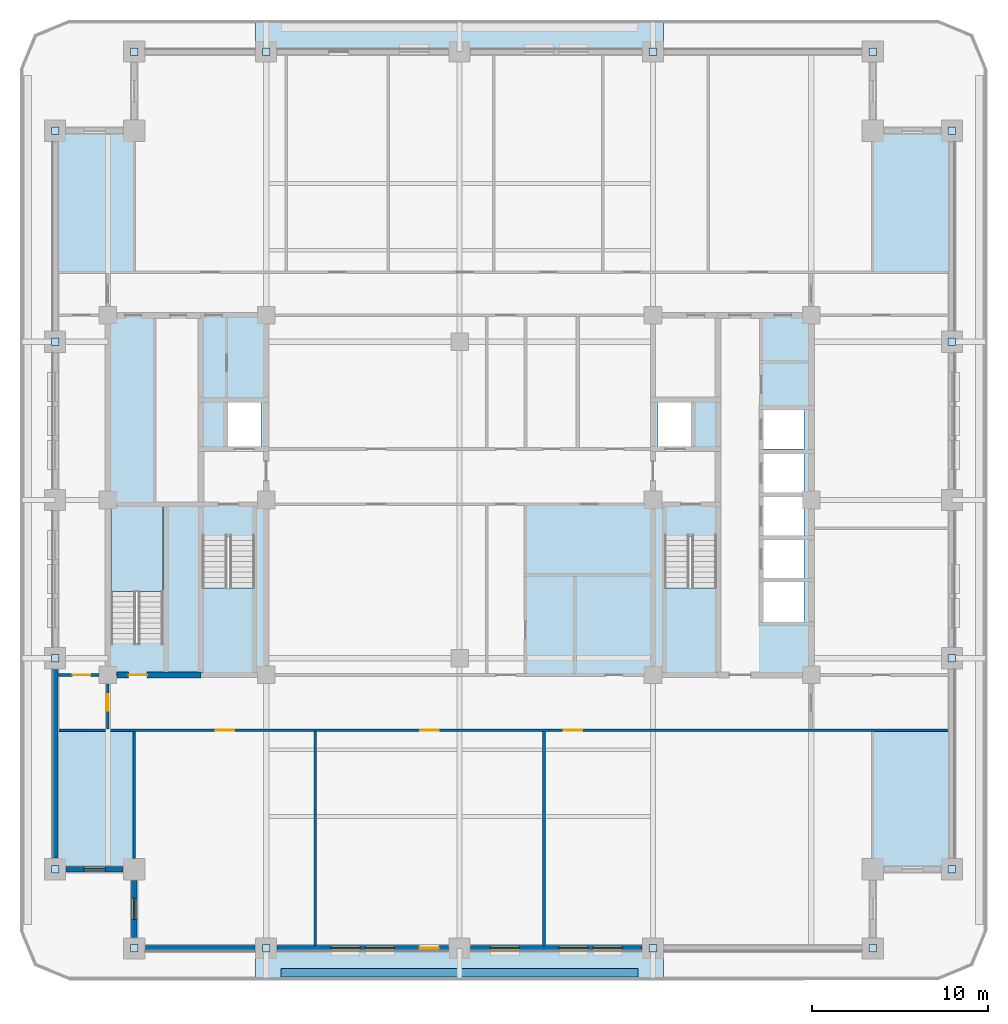
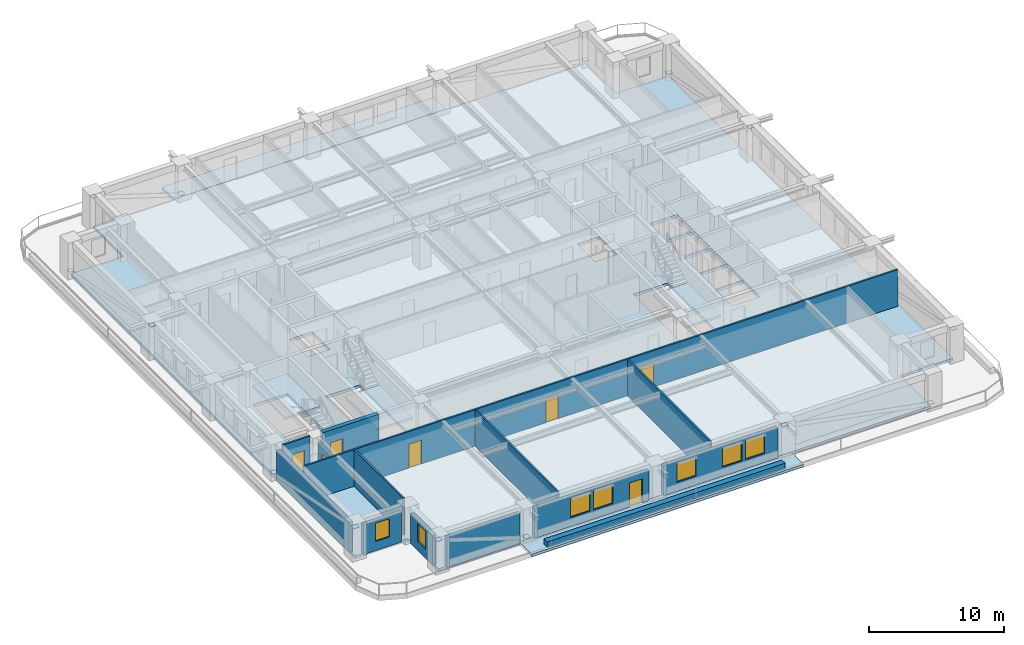
# One storey, part 2 of 14: 16 plates, 14 walls, 7 doors, 7 windows, 6 slabs, 14 openings, 3 elements without a shape of their own.
"""IFC4 building model written with IfcOpenShell, lengths in metres."""

from ifc_helpers import new_model, si_unit, direction, frame, frame_2d, origin, origin_2d, place, context, subcontext, project, spatial, polyline, rectangle, outline, extrude, material, layer, layer_set, type_object, element, fill, aggregate, save


model = new_model("IFC4")

# Units and contexts
model_context = context("Model", 3, precision=1e-05, world=origin(), true_north=direction((0.0, 1.0)))
body_context = subcontext(model_context, "Body", "Model", "MODEL_VIEW")
ifc_project = project(units=[si_unit("LENGTHUNIT", "METRE"), si_unit("AREAUNIT", "SQUARE_METRE"), si_unit("VOLUMEUNIT", "CUBIC_METRE"), si_unit("PLANEANGLEUNIT", "RADIAN"), si_unit("MASSUNIT", "GRAM", prefix="KILO")], contexts=[model_context])

# Site, building, storey
site_placement = place(None, origin())
site = spatial("IfcSite", under=ifc_project, at=site_placement, CompositionType="ELEMENT")
building_placement = place(site_placement, origin())
building = spatial("IfcBuilding", under=site, at=building_placement, Name="Zulmaris Gate Convention Tower", CompositionType="ELEMENT")
storey_placement = place(building_placement, frame((0.0, 0.0, 94.929931640625)))
storey = spatial("IfcBuildingStorey", under=building, at=storey_placement, Name="L23", CompositionType="ELEMENT", Elevation=94.929931640625)

# Plates
ifc_material_1 = material(Name="Steel S460", Category="steel")
ifc_layer_1 = layer(ifc_material_1, 0.02490234375, Name="Steel S460")
ifc_layer_set_1 = layer_set([ifc_layer_1], Name="Steel S460")
plate_type = type_object("IfcPlateType", Name="NP-CAP-440", PredefinedType="USERDEFINED", material=ifc_layer_set_1)
for number, where, z_axis, x_axis, name in (
    (1, (-23.0, -9.0, 0.28759765625), (0.0, 0.0, 1.0), (1.0, 0.0, 0.0), "L23 Steel Node Plate PBR-L23-SW-W-CAP"),
    (2, (-23.0, -21.0, 2.66259765625), (0.0, 0.0, 1.0), (1.0, 0.0, 0.0), "L23 Steel Node Plate PBR-L23-SW-W-CAPB"),
    (3, (-23.0, 21.0, 0.28759765625), (0.0, 0.0, 1.0), (1.0, 0.0, 0.0), "L23 Steel Node Plate PBR-L23-NW-W-CAP"),
    (4, (-23.0, 9.0, 2.66259765625), (0.0, 0.0, 1.0), (1.0, 0.0, 0.0), "L23 Steel Node Plate PBR-L23-NW-W-CAPB"),
    (5, (28.0, -9.0, 0.28759765625), (0.0, 0.0, 1.0), (1.0, 0.0, 0.0), "L23 Steel Node Plate PBR-L23-SE-E-CAP"),
    (6, (28.0, -21.0, 2.66259765625), (0.0, 0.0, 1.0), (1.0, 0.0, 0.0), "L23 Steel Node Plate PBR-L23-SE-E-CAPB"),
    (7, (28.0, 21.0, 0.28759765625), (0.0, 0.0, 1.0), (1.0, 0.0, 0.0), "L23 Steel Node Plate PBR-L23-NE-E-CAP"),
    (8, (28.0, 9.0, 2.66259765625), (0.0, 0.0, 1.0), (1.0, 0.0, 0.0), "L23 Steel Node Plate PBR-L23-NE-E-CAPB"),
    (9, (-11.0, -25.5, 0.28759765625), (0.0, 0.0, 1.0), (1.0, 0.0, 0.0), "L23 Steel Node Plate PBR-L23-SW-S-CAP"),
    (10, (-18.5, -25.5, 2.66259765625), (0.0, 0.0, 1.0), (1.0, 0.0, 0.0), "L23 Steel Node Plate PBR-L23-SW-S-CAPB"),
    (11, (23.5, -25.5, 0.28759765625), (0.0, 0.0, 1.0), (1.0, 0.0, 0.0), "L23 Steel Node Plate PBR-L23-SE-S-CAP"),
    (12, (11.0, -25.5, 2.66259765625), (0.0, 0.0, 1.0), (1.0, 0.0, 0.0), "L23 Steel Node Plate PBR-L23-SE-S-CAPB"),
    (13, (-11.0, 25.5, 0.28759765625), (0.0, 0.0, 1.0), (1.0, 0.0, 0.0), "L23 Steel Node Plate PBR-L23-NW-N-CAP"),
    (14, (-18.5, 25.5, 2.66259765625), (0.0, 0.0, 1.0), (1.0, 0.0, 0.0), "L23 Steel Node Plate PBR-L23-NW-N-CAPB"),
    (15, (23.5, 25.5, 0.28759765625), (0.0, 0.0, 1.0), (1.0, 0.0, 0.0), "L23 Steel Node Plate PBR-L23-NE-N-CAP"),
    (16, (11.0, 25.5, 2.66259765625), (0.0, 0.0, 1.0), (1.0, 0.0, 0.0), "L23 Steel Node Plate PBR-L23-NE-N-CAPB"),
):
    element("IfcPlate", number, at=place(storey_placement, frame(where, z_axis=z_axis, x_axis=x_axis)), inside=storey, type_object=plate_type, Name=name, ObjectType="FLANGE PLATE", PredefinedType="USERDEFINED", context=body_context, shape_type="SweptSolid", body=[
        extrude(rectangle(XDim=0.43994140625, YDim=0.43994140625, at=origin_2d()), origin(), (0.0, 0.0, 1.0), 0.02490234375),
    ])

# Slabs
ifc_material_2 = material(Name="Precast concrete C50/60", Category="concrete")
ifc_layer_2 = layer(ifc_material_2, 0.239990234375, Name="Precast concrete C50/60")
ifc_layer_set_2 = layer_set([ifc_layer_2], Name="Precast concrete C50/60")
slab_type_1 = type_object("IfcSlabType", Name="SL-BAL-240", PredefinedType="FLOOR", material=ifc_layer_set_2)
slab_1_placement = place(storey_placement, frame((0.0, 0.0, -0.25)))
element("IfcSlab", 17, at=slab_1_placement, inside=storey, type_object=slab_type_1, Name="L23 South Tree-Balcony Planter Slab", PredefinedType="FLOOR", context=body_context, shape_type="SweptSolid", body=[
    extrude(outline(polyline([(-11.597900390625, -27.300048828125), (-11.597900390625, -25.5), (11.597900390625, -25.5), (11.597900390625, -27.300048828125), (-11.597900390625, -27.300048828125)])), origin(), (0.0, 0.0, 1.0), 0.239990234375),
])
slab_2_placement = place(storey_placement, frame((0.0, 0.0, -0.25)))
element("IfcSlab", 18, at=slab_2_placement, inside=storey, type_object=slab_type_1, Name="L23 North Tree-Balcony Planter Slab", PredefinedType="FLOOR", context=body_context, shape_type="SweptSolid", body=[
    extrude(outline(polyline([(11.597900390625, 27.300048828125), (11.597900390625, 25.5), (-11.597900390625, 25.5), (-11.597900390625, 27.300048828125), (11.597900390625, 27.300048828125)])), origin(), (0.0, 0.0, 1.0), 0.239990234375),
])
ifc_material_3 = material(Name="Concrete C50/60", Category="concrete")
ifc_layer_3 = layer(ifc_material_3, 0.25, Name="Concrete C50/60")
ifc_layer_set_3 = layer_set([ifc_layer_3], Name="Concrete C50/60")
slab_type_2 = type_object("IfcSlabType", Name="SL-FLR-250", PredefinedType="FLOOR", material=ifc_layer_set_3)
slab_3_placement = place(storey_placement, frame((0.0, 0.0, -0.25)))
element("IfcSlab", 19, at=slab_3_placement, inside=storey, type_object=slab_type_2, Name="L23 Shifted Notched-Square Structural Floor Slab", PredefinedType="FLOOR", context=body_context, shape_type="SweptSolid", body=[
    extrude(outline(polyline([(-18.5, -25.5), (23.5, -25.5), (23.5, -21.0), (28.0, -21.0), (28.0, 21.0), (23.5, 21.0), (23.5, 25.5), (-18.5, 25.5), (-18.5, 21.0), (-23.0, 21.0), (-23.0, -21.0), (-18.5, -21.0), (-18.5, -25.5)]), holes=[polyline([(-14.6201171875, -2.080078125), (-14.6201171875, -9.85009765625), (-11.659912109375, -9.85009765625), (-11.659912109375, -2.080078125), (-14.6201171875, -2.080078125)]), polyline([(11.659912109375, -2.080078125), (11.659912109375, -9.85009765625), (14.6201171875, -9.85009765625), (14.6201171875, -2.080078125), (11.659912109375, -2.080078125)]), polyline([(-16.860107421875, -8.1201171875), (-16.860107421875, -0.35009765625), (-19.820068359375, -0.35009765625), (-19.820068359375, -8.1201171875), (-16.860107421875, -8.1201171875)]), polyline([(-13.199951171875, 3.0), (-11.300048828125, 3.0), (-11.300048828125, 5.60009765625), (-13.199951171875, 5.60009765625), (-13.199951171875, 3.0)]), polyline([(11.300048828125, 3.0), (13.199951171875, 3.0), (13.199951171875, 5.60009765625), (11.300048828125, 5.60009765625), (11.300048828125, 3.0)]), polyline([(17.199951171875, -7.0), (19.60009765625, -7.0), (19.60009765625, -4.60009765625), (17.199951171875, -4.60009765625), (17.199951171875, -7.0)]), polyline([(17.300048828125, -4.5), (19.60009765625, -4.5), (19.60009765625, -2.199951171875), (17.300048828125, -2.199951171875), (17.300048828125, -4.5)]), polyline([(17.300048828125, -2.10009765625), (19.60009765625, -2.10009765625), (19.60009765625, 0.199951171875), (17.300048828125, 0.199951171875), (17.300048828125, -2.10009765625)]), polyline([(17.300048828125, 0.39990234375), (19.60009765625, 0.39990234375), (19.60009765625, 2.699951171875), (17.300048828125, 2.699951171875), (17.300048828125, 0.39990234375)]), polyline([(17.300048828125, 2.89990234375), (19.60009765625, 2.89990234375), (19.60009765625, 5.199951171875), (17.300048828125, 5.199951171875), (17.300048828125, 2.89990234375)])]), origin(), (0.0, 0.0, 1.0), 0.25),
])

# Stair, slab
ifc_material_4 = material(Name="Concrete C45/55", Category="concrete")
stair_type = type_object("IfcStairType", Name="ST-CORE-DOGLEG", PredefinedType="HALF_TURN_STAIR", material=ifc_material_4)
stair_1_placement = place(storey_placement, origin())
stair_1 = element("IfcStair", 20, at=stair_1_placement, inside=storey, type_object=stair_type, Name="L23 Core Exit Stair ST-1", PredefinedType="HALF_TURN_STAIR")
ifc_layer_4 = layer(ifc_material_4, 0.199951171875, Name="Concrete C45/55")
ifc_layer_set_4 = layer_set([ifc_layer_4], Name="Concrete C45/55")
slab_type_3 = type_object("IfcSlabType", Name="SL-LND-200", PredefinedType="LANDING", material=ifc_layer_set_4)
slab_4_placement = place(storey_placement, frame((0.0, 0.0, 1.5849609375)))
slab_4 = element("IfcSlab", 21, at=slab_4_placement, type_object=slab_type_3, Name="ST-1 landing 1", PredefinedType="LANDING", context=body_context, shape_type="SweptSolid", body=[
    extrude(outline(polyline([(-14.6201171875, -5.0), (-14.6201171875, -9.85009765625), (-11.659912109375, -9.85009765625), (-11.659912109375, -5.0), (-14.6201171875, -5.0)])), origin(), (0.0, 0.0, 1.0), 0.199951171875),
])
aggregate(stair_1, [slab_4])

stair_2_placement = place(storey_placement, origin())
stair_2 = element("IfcStair", 22, at=stair_2_placement, inside=storey, type_object=stair_type, Name="L23 Core Exit Stair ST-2", PredefinedType="HALF_TURN_STAIR")
slab_5_placement = place(storey_placement, frame((0.0, 0.0, 1.5849609375)))
slab_5 = element("IfcSlab", 23, at=slab_5_placement, type_object=slab_type_3, Name="ST-2 landing 1", PredefinedType="LANDING", context=body_context, shape_type="SweptSolid", body=[
    extrude(outline(polyline([(11.659912109375, -5.0), (11.659912109375, -9.85009765625), (14.6201171875, -9.85009765625), (14.6201171875, -5.0), (11.659912109375, -5.0)])), origin(), (0.0, 0.0, 1.0), 0.199951171875),
])
aggregate(stair_2, [slab_5])

stair_3_placement = place(storey_placement, origin())
stair_3 = element("IfcStair", 24, at=stair_3_placement, inside=storey, type_object=stair_type, Name="L23 Core Exit Stair ST-3", PredefinedType="HALF_TURN_STAIR")
slab_6_placement = place(storey_placement, frame((0.0, 0.0, 1.5849609375)))
slab_6 = element("IfcSlab", 25, at=slab_6_placement, type_object=slab_type_3, Name="ST-3 landing 1", PredefinedType="LANDING", context=body_context, shape_type="SweptSolid", body=[
    extrude(outline(polyline([(-16.860107421875, -5.199951171875), (-16.860107421875, -0.35009765625), (-19.820068359375, -0.35009765625), (-19.820068359375, -5.199951171875), (-16.860107421875, -5.199951171875)])), origin(), (0.0, 0.0, 1.0), 0.199951171875),
])
aggregate(stair_3, [slab_6])

# Wall, opening, door
ifc_material_5 = material(Name="Concrete C55/67", Category="concrete")
ifc_layer_5 = layer(ifc_material_5, 0.35009765625, Name="Concrete C55/67")
ifc_layer_set_5 = layer_set([ifc_layer_5], Name="Concrete C55/67")
wall_type_1 = type_object("IfcWallType", Name="CORE-350", PredefinedType="SHEAR", material=ifc_layer_set_5)
wall_1_placement = place(storey_placement, frame((-19.49609375, -9.949951171875, 0.0), z_axis=(0.0, 0.0, 1.0), x_axis=(1.0, 0.0, 0.0)))
wall_1 = element("IfcWall", 26, at=wall_1_placement, inside=storey, type_object=wall_type_1, Name="WL-L23-001", PredefinedType="SHEAR", context=body_context, shape_type="SweptSolid", body=[
    extrude(rectangle(XDim=4.796142578125, YDim=0.35009765625, at=frame_2d((2.39794921875, 0.0))), origin(), (0.0, 0.0, 1.0), 3.295166015625),
])
opening_1_placement = place(wall_1_placement, frame((0.6708984375, 0.0, 0.0)))
opening_1 = element("IfcOpeningElement", 27, at=opening_1_placement, cuts=wall_1, Name="Opening D-09", PredefinedType="OPENING", context=body_context, shape_type="SweptSolid", body=[
    extrude(rectangle(XDim=1.050048828125, YDim=2.14990234375, at=frame_2d((0.52490234375, 1.074951171875))), frame((0.0, 0.18505859375, 0.0), z_axis=(0.0, -1.0, 0.0), x_axis=(1.0, 0.0, 0.0)), (0.0, 0.0, 1.0), 0.3701171875),
])
ifc_material_6 = material(Name="Fire-Rated Steel", Category="steel")
door_type_1 = type_object("IfcDoorType", Name="DR-1050-FD", OperationType="NOTDEFINED", PredefinedType="DOOR", material=ifc_material_6)
door_1_placement = place(opening_1_placement, origin())
door_1 = element("IfcDoor", 28, at=door_1_placement, inside=storey, type_object=door_type_1, Name="L23 Exit Stair ST-3 Door 10", OperationType="SINGLE_SWING_LEFT", OverallHeight=2.14990234375, OverallWidth=1.050048828125, PredefinedType="DOOR", context=body_context, shape_type="SweptSolid", body=[
    extrude(rectangle(XDim=1.050048828125, YDim=2.14990234375, at=frame_2d((0.52490234375, 1.074951171875))), frame((0.0, 0.02490234375, 0.0), z_axis=(0.0, -1.0, 0.0), x_axis=(1.0, 0.0, 0.0)), (0.0, 0.0, 1.0), 0.050048828125),
])
fill(opening_1, door_1)

# Wall, openings, doors
ifc_material_7 = material(Name="Gypsum Metal Stud Partition")
ifc_layer_6 = layer(ifc_material_7, 0.14990234375, Name="Gypsum Metal Stud Partition")
ifc_layer_set_6 = layer_set([ifc_layer_6], Name="Gypsum Metal Stud Partition")
wall_type_2 = type_object("IfcWallType", Name="PART-150", PredefinedType="PARTITIONING", material=ifc_layer_set_6)
wall_2_placement = place(storey_placement, frame((-22.8349609375, -13.10009765625, 0.0), z_axis=(0.0, 0.0, 1.0), x_axis=(1.0, 0.0, 0.0)))
wall_2 = element("IfcWall", 29, at=wall_2_placement, inside=storey, type_object=wall_type_2, Name="WL-L23-021", PredefinedType="PARTITIONING", context=body_context, shape_type="SweptSolid", body=[
    extrude(rectangle(XDim=50.669921875, YDim=0.14990234375, at=frame_2d((25.3349609375, 0.0))), origin(), (0.0, 0.0, 1.0), 3.295166015625),
])
opening_2_placement = place(wall_2_placement, frame((8.9599609375, 0.0, 0.0)))
opening_2 = element("IfcOpeningElement", 30, at=opening_2_placement, cuts=wall_2, Name="Opening D-09", PredefinedType="OPENING", context=body_context, shape_type="SweptSolid", body=[
    extrude(rectangle(XDim=1.050048828125, YDim=2.14990234375, at=frame_2d((0.52490234375, 1.074951171875))), frame((0.0, 0.0849609375, 0.0), z_axis=(0.0, -1.0, 0.0), x_axis=(1.0, 0.0, 0.0)), (0.0, 0.0, 1.0), 0.169921875),
])
opening_3_placement = place(wall_2_placement, frame((20.610107421875, 0.0, 0.0)))
opening_3 = element("IfcOpeningElement", 31, at=opening_3_placement, cuts=wall_2, Name="Opening D-09", PredefinedType="OPENING", context=body_context, shape_type="SweptSolid", body=[
    extrude(rectangle(XDim=1.050048828125, YDim=2.14990234375, at=frame_2d((0.52490234375, 1.074951171875))), frame((0.0, 0.0849609375, 0.0), z_axis=(0.0, -1.0, 0.0), x_axis=(1.0, 0.0, 0.0)), (0.0, 0.0, 1.0), 0.169921875),
])
opening_4_placement = place(wall_2_placement, frame((28.760009765625, 0.0, 0.0)))
opening_4 = element("IfcOpeningElement", 32, at=opening_4_placement, cuts=wall_2, Name="Opening D-09", PredefinedType="OPENING", context=body_context, shape_type="SweptSolid", body=[
    extrude(rectangle(XDim=1.050048828125, YDim=2.14990234375, at=frame_2d((0.52490234375, 1.074951171875))), frame((0.0, 0.0849609375, 0.0), z_axis=(0.0, -1.0, 0.0), x_axis=(1.0, 0.0, 0.0)), (0.0, 0.0, 1.0), 0.169921875),
])
door_2_placement = place(opening_2_placement, origin())
door_2 = element("IfcDoor", 33, at=door_2_placement, inside=storey, type_object=door_type_1, Name="L23 Research Reading Room Door 31", OperationType="SINGLE_SWING_RIGHT", OverallHeight=2.14990234375, OverallWidth=1.050048828125, PredefinedType="DOOR", context=body_context, shape_type="SweptSolid", body=[
    extrude(rectangle(XDim=1.050048828125, YDim=2.14990234375, at=frame_2d((0.52490234375, 1.074951171875))), frame((0.0, 0.02490234375, 0.0), z_axis=(0.0, -1.0, 0.0), x_axis=(1.0, 0.0, 0.0)), (0.0, 0.0, 1.0), 0.050048828125),
])
fill(opening_2, door_2)
door_3_placement = place(opening_3_placement, origin())
door_3 = element("IfcDoor", 34, at=door_3_placement, inside=storey, type_object=door_type_1, Name="L23 Quiet Focus Study Door 32", OperationType="SINGLE_SWING_LEFT", OverallHeight=2.14990234375, OverallWidth=1.050048828125, PredefinedType="DOOR", context=body_context, shape_type="SweptSolid", body=[
    extrude(rectangle(XDim=1.050048828125, YDim=2.14990234375, at=frame_2d((0.52490234375, 1.074951171875))), frame((0.0, 0.02490234375, 0.0), z_axis=(0.0, -1.0, 0.0), x_axis=(1.0, 0.0, 0.0)), (0.0, 0.0, 1.0), 0.050048828125),
])
fill(opening_3, door_3)
door_4_placement = place(opening_4_placement, origin())
door_4 = element("IfcDoor", 35, at=door_4_placement, inside=storey, type_object=door_type_1, Name="L23 Legal Library Room Door 33", OperationType="SINGLE_SWING_RIGHT", OverallHeight=2.14990234375, OverallWidth=1.050048828125, PredefinedType="DOOR", context=body_context, shape_type="SweptSolid", body=[
    extrude(rectangle(XDim=1.050048828125, YDim=2.14990234375, at=frame_2d((0.52490234375, 1.074951171875))), frame((0.0, 0.02490234375, 0.0), z_axis=(0.0, -1.0, 0.0), x_axis=(1.0, 0.0, 0.0)), (0.0, 0.0, 1.0), 0.050048828125),
])
fill(opening_4, door_4)

# Wall, opening, door
wall_3_placement = place(storey_placement, frame((-22.8349609375, -9.949951171875, 0.0), z_axis=(0.0, 0.0, 1.0), x_axis=(1.0, 0.0, 0.0)))
wall_3 = element("IfcWall", 36, at=wall_3_placement, inside=storey, type_object=wall_type_2, Name="WL-L23-022", PredefinedType="PARTITIONING", context=body_context, shape_type="SweptSolid", body=[
    extrude(rectangle(XDim=2.328857421875, YDim=0.14990234375, at=frame_2d((1.16455078125, 0.0))), origin(), (0.0, 0.0, 1.0), 3.295166015625),
])
opening_5_placement = place(wall_3_placement, frame((0.8349609375, 0.0, 0.0)))
opening_5 = element("IfcOpeningElement", 37, at=opening_5_placement, cuts=wall_3, Name="Opening D-10", PredefinedType="OPENING", context=body_context, shape_type="SweptSolid", body=[
    extrude(rectangle(XDim=1.0, YDim=2.14990234375, at=frame_2d((0.5, 1.074951171875))), frame((0.0, 0.0849609375, 0.0), z_axis=(0.0, -1.0, 0.0), x_axis=(1.0, 0.0, 0.0)), (0.0, 0.0, 1.0), 0.169921875),
])
ifc_material_8 = material(Name="Fire-Rated Timber", Category="wood")
door_type_2 = type_object("IfcDoorType", Name="DR-1000-FD", OperationType="NOTDEFINED", PredefinedType="DOOR", material=ifc_material_8)
door_5_placement = place(opening_5_placement, origin())
door_5 = element("IfcDoor", 38, at=door_5_placement, inside=storey, type_object=door_type_2, Name="L23 West Workplace South Door 44", OperationType="SINGLE_SWING_LEFT", OverallHeight=2.14990234375, OverallWidth=1.0, PredefinedType="DOOR", context=body_context, shape_type="SweptSolid", body=[
    extrude(rectangle(XDim=1.0, YDim=2.14990234375, at=frame_2d((0.5, 1.074951171875))), frame((0.0, 0.02490234375, 0.0), z_axis=(0.0, -1.0, 0.0), x_axis=(1.0, 0.0, 0.0)), (0.0, 0.0, 1.0), 0.050048828125),
])
fill(opening_5, door_5)

wall_4_placement = place(storey_placement, frame((-20.0, -13.02197265625, 0.0), z_axis=(0.0, 0.0, 1.0), x_axis=(0.0, 1.0, 0.0)))
wall_4 = element("IfcWall", 39, at=wall_4_placement, inside=storey, type_object=wall_type_2, Name="WL-L23-069", PredefinedType="PARTITIONING", context=body_context, shape_type="SweptSolid", body=[
    extrude(rectangle(XDim=2.56591796875, YDim=0.14990234375, at=frame_2d((1.282958984375, 0.0))), origin(), (0.0, 0.0, 1.0), 2.78515625),
])
opening_6_placement = place(wall_4_placement, frame((1.027099609375, 0.0, 0.0)))
opening_6 = element("IfcOpeningElement", 40, at=opening_6_placement, cuts=wall_4, Name="Opening D-11", PredefinedType="OPENING", context=body_context, shape_type="SweptSolid", body=[
    extrude(rectangle(XDim=0.949951171875, YDim=2.14990234375, at=frame_2d((0.47509765625, 1.074951171875))), frame((0.0, 0.0849609375, 0.0), z_axis=(0.0, -1.0, 0.0), x_axis=(1.0, 0.0, 0.0)), (0.0, 0.0, 1.0), 0.169921875),
])
door_type_3 = type_object("IfcDoorType", Name="DR-950-FD", OperationType="NOTDEFINED", PredefinedType="DOOR", material=ifc_material_8)
door_6_placement = place(opening_6_placement, origin())
door_6 = element("IfcDoor", 41, at=door_6_placement, inside=storey, type_object=door_type_3, Name="L23 SW Spur Door 42", OperationType="SINGLE_SWING_LEFT", OverallHeight=2.14990234375, OverallWidth=0.949951171875, PredefinedType="DOOR", context=body_context, shape_type="SweptSolid", body=[
    extrude(rectangle(XDim=0.949951171875, YDim=2.14990234375, at=frame_2d((0.47509765625, 1.074951171875))), frame((0.0, 0.02490234375, 0.0), z_axis=(0.0, -1.0, 0.0), x_axis=(1.0, 0.0, 0.0)), (0.0, 0.0, 1.0), 0.050048828125),
])
fill(opening_6, door_6)

# Walls
wall_5_placement = place(storey_placement, frame((-18.5, -20.39404296875, 0.0), z_axis=(0.0, 0.0, 1.0), x_axis=(0.0, 1.0, 0.0)))
element("IfcWall", 42, at=wall_5_placement, inside=storey, type_object=wall_type_2, Name="WL-L23-071", PredefinedType="PARTITIONING", context=body_context, shape_type="SweptSolid", body=[
    extrude(rectangle(XDim=7.216064453125, YDim=0.14990234375, at=frame_2d((3.60791015625, 0.0))), origin(), (0.0, 0.0, 1.0), 3.295166015625),
])
for number, where, z_axis, x_axis, name in (
    (43, (-8.199951171875, -25.3349609375, 0.0), (0.0, 0.0, 1.0), (0.0, 1.0, 0.0), "WL-L23-076"),
    (44, (4.800048828125, -25.3349609375, 0.0), (0.0, 0.0, 1.0), (0.0, 1.0, 0.0), "WL-L23-084"),
):
    element("IfcWall", number, at=place(storey_placement, frame(where, z_axis=z_axis, x_axis=x_axis)), inside=storey, type_object=wall_type_2, Name=name, PredefinedType="PARTITIONING", context=body_context, shape_type="SweptSolid", body=[
        extrude(rectangle(XDim=12.156982421875, YDim=0.14990234375, at=frame_2d((6.07861328125, 0.0))), origin(), (0.0, 0.0, 1.0), 3.295166015625),
    ])
ifc_material_9 = material(Name="Botanical Green Glazed Precast Concrete C40/50", Category="concrete")
ifc_layer_7 = layer(ifc_material_9, 0.419921875, Name="Botanical Green Glazed Precast Concrete C40/50")
ifc_layer_set_7 = layer_set([ifc_layer_7], Name="Botanical Green Glazed Precast Concrete C40/50")
wall_type_3 = type_object("IfcWallType", Name="PLANTER-CURB-200", PredefinedType="PARAPET", material=ifc_layer_set_7)
wall_6_placement = place(storey_placement, frame((-10.14990234375, -26.8798828125, -0.0400390625), z_axis=(0.0, 0.0, 1.0), x_axis=(1.0, 0.0, 0.0)))
element("IfcWall", 45, at=wall_6_placement, inside=storey, type_object=wall_type_3, Name="L23 Full-Length Balcony Tree Planter Trough", PredefinedType="PARAPET", context=body_context, shape_type="SweptSolid", body=[
    extrude(rectangle(XDim=20.2998046875, YDim=0.47998046875, at=frame_2d((10.14990234375, 0.0))), origin(), (0.0, 0.0, 1.0), 0.52001953125),
])

# Wall, opening, window
ifc_material_10 = material(Name="Precast concrete C40/50", Category="concrete")
ifc_layer_8 = layer(ifc_material_10, 0.300048828125, Name="Precast concrete C40/50")
ifc_layer_set_8 = layer_set([ifc_layer_8], Name="Precast concrete C40/50")
wall_type_4 = type_object("IfcWallType", Name="PRECAST-PIER-300", PredefinedType="STANDARD", material=ifc_layer_set_8)
wall_7_placement = place(storey_placement, frame((-22.3701171875, -21.0, 0.0), z_axis=(0.0, 0.0, 1.0), x_axis=(1.0, 0.0, 0.0)))
wall_7 = element("IfcWall", 46, at=wall_7_placement, inside=storey, type_object=wall_type_4, Name="EW-L23-NOTCH-SW1_0", PredefinedType="STANDARD", context=body_context, shape_type="SweptSolid", body=[
    extrude(rectangle(XDim=3.240234375, YDim=0.300048828125, at=frame_2d((1.6201171875, 0.0))), origin(), (0.0, 0.0, 1.0), 2.68701171875),
])
opening_7_placement = place(wall_7_placement, frame((1.02001953125, 0.0, 0.820068359375)))
opening_7 = element("IfcOpeningElement", 47, at=opening_7_placement, cuts=wall_7, Name="Opening W-04", PredefinedType="OPENING", context=body_context, shape_type="SweptSolid", body=[
    extrude(rectangle(XDim=1.199951171875, YDim=1.64990234375, at=frame_2d((0.60009765625, 0.824951171875))), frame((0.0, 0.16015625, 0.0), z_axis=(0.0, -1.0, 0.0), x_axis=(1.0, 0.0, 0.0)), (0.0, 0.0, 1.0), 0.320068359375),
])
ifc_material_11 = material(Name="Low-E Laminated Double Glazing in Aluminium Frame", Category="aluminium")
window_type_1 = type_object("IfcWindowType", Name="WIN-1200x2100", PartitioningType="SINGLE_PANEL", PredefinedType="WINDOW", material=ifc_material_11)
window_1_placement = place(opening_7_placement, origin())
window_1 = element("IfcWindow", 48, at=window_1_placement, inside=storey, type_object=window_type_1, Name="WN-EW-L23-NOTCH-SW1_0", OverallHeight=1.64990234375, OverallWidth=1.199951171875, PartitioningType="SINGLE_PANEL", PredefinedType="WINDOW", context=body_context, shape_type="SweptSolid", body=[
    extrude(rectangle(XDim=1.199951171875, YDim=1.64990234375, at=frame_2d((0.60009765625, 0.824951171875))), frame((0.0, 0.030029296875, 0.0), z_axis=(0.0, -1.0, 0.0), x_axis=(1.0, 0.0, 0.0)), (0.0, 0.0, 1.0), 0.06005859375),
])
fill(opening_7, window_1)

wall_8_placement = place(storey_placement, frame((-18.5, -21.6298828125, 0.0), z_axis=(0.0, 0.0, 1.0), x_axis=(0.0, -1.0, 0.0)))
wall_8 = element("IfcWall", 49, at=wall_8_placement, inside=storey, type_object=wall_type_4, Name="EW-L23-NOTCH-SW2_0", PredefinedType="STANDARD", context=body_context, shape_type="SweptSolid", body=[
    extrude(rectangle(XDim=3.240234375, YDim=0.300048828125, at=frame_2d((1.6201171875, 0.0))), origin(), (0.0, 0.0, 1.0), 2.68701171875),
])
opening_8_placement = place(wall_8_placement, frame((1.02001953125, 0.0, 0.820068359375)))
opening_8 = element("IfcOpeningElement", 50, at=opening_8_placement, cuts=wall_8, Name="Opening W-04", PredefinedType="OPENING", context=body_context, shape_type="SweptSolid", body=[
    extrude(rectangle(XDim=1.199951171875, YDim=1.64990234375, at=frame_2d((0.60009765625, 0.824951171875))), frame((0.0, 0.16015625, 0.0), z_axis=(0.0, -1.0, 0.0), x_axis=(1.0, 0.0, 0.0)), (0.0, 0.0, 1.0), 0.320068359375),
])
window_2_placement = place(opening_8_placement, origin())
window_2 = element("IfcWindow", 51, at=window_2_placement, inside=storey, type_object=window_type_1, Name="WN-EW-L23-NOTCH-SW2_0", OverallHeight=1.64990234375, OverallWidth=1.199951171875, PartitioningType="SINGLE_PANEL", PredefinedType="WINDOW", context=body_context, shape_type="SweptSolid", body=[
    extrude(rectangle(XDim=1.199951171875, YDim=1.64990234375, at=frame_2d((0.60009765625, 0.824951171875))), frame((0.0, 0.030029296875, 0.0), z_axis=(0.0, -1.0, 0.0), x_axis=(1.0, 0.0, 0.0)), (0.0, 0.0, 1.0), 0.06005859375),
])
fill(opening_8, window_2)

# Wall
wall_9_placement = place(storey_placement, frame((-17.8701171875, -25.5, 0.0), z_axis=(0.0, 0.0, 1.0), x_axis=(1.0, 0.0, 0.0)))
element("IfcWall", 52, at=wall_9_placement, inside=storey, type_object=wall_type_4, Name="EW-L23-S-0_0", PredefinedType="STANDARD", context=body_context, shape_type="SweptSolid", body=[
    extrude(rectangle(XDim=6.240234375, YDim=0.300048828125, at=frame_2d((3.1201171875, 0.0))), origin(), (0.0, 0.0, 1.0), 2.68701171875),
])

# Wall, openings, door, windows
wall_10_placement = place(storey_placement, frame((-10.3701171875, -25.5, 0.0), z_axis=(0.0, 0.0, 1.0), x_axis=(1.0, 0.0, 0.0)))
wall_10 = element("IfcWall", 53, at=wall_10_placement, inside=storey, type_object=wall_type_4, Name="EW-L23-S-1_0", PredefinedType="STANDARD", context=body_context, shape_type="SweptSolid", body=[
    extrude(rectangle(XDim=9.740234375, YDim=0.300048828125, at=frame_2d((4.8701171875, 0.0))), origin(), (0.0, 0.0, 1.0), 2.68701171875),
])
opening_9_placement = place(wall_10_placement, frame((8.096923828125, 0.0, 0.0)))
opening_9 = element("IfcOpeningElement", 54, at=opening_9_placement, cuts=wall_10, Name="Opening D-04", PredefinedType="OPENING", context=body_context, shape_type="SweptSolid", body=[
    extrude(rectangle(XDim=1.10009765625, YDim=2.14990234375, at=frame_2d((0.550048828125, 1.074951171875))), frame((0.0, 0.16015625, 0.0), z_axis=(0.0, -1.0, 0.0), x_axis=(1.0, 0.0, 0.0)), (0.0, 0.0, 1.0), 0.320068359375),
])
opening_10_placement = place(wall_10_placement, frame((3.071044921875, 0.0, 0.800048828125)))
opening_10 = element("IfcOpeningElement", 55, at=opening_10_placement, cuts=wall_10, Name="Opening W-08", PredefinedType="OPENING", context=body_context, shape_type="SweptSolid", body=[
    extrude(rectangle(XDim=1.64990234375, YDim=1.699951171875, at=frame_2d((0.824951171875, 0.85009765625))), frame((0.0, 0.16015625, 0.0), z_axis=(0.0, -1.0, 0.0), x_axis=(1.0, 0.0, 0.0)), (0.0, 0.0, 1.0), 0.320068359375),
])
opening_11_placement = place(wall_10_placement, frame((5.01904296875, 0.0, 0.800048828125)))
opening_11 = element("IfcOpeningElement", 56, at=opening_11_placement, cuts=wall_10, Name="Opening W-08", PredefinedType="OPENING", context=body_context, shape_type="SweptSolid", body=[
    extrude(rectangle(XDim=1.64990234375, YDim=1.699951171875, at=frame_2d((0.824951171875, 0.85009765625))), frame((0.0, 0.16015625, 0.0), z_axis=(0.0, -1.0, 0.0), x_axis=(1.0, 0.0, 0.0)), (0.0, 0.0, 1.0), 0.320068359375),
])
ifc_material_12 = material(Name="Anodised Aluminium and Laminated Glass", Category="aluminium")
door_type_4 = type_object("IfcDoorType", Name="ED-1100", OperationType="SINGLE_SWING_RIGHT", PredefinedType="DOOR", material=ifc_material_12)
door_7_placement = place(opening_9_placement, origin())
door_7 = element("IfcDoor", 57, at=door_7_placement, inside=storey, type_object=door_type_4, Name="L23 S Planted Terrace Door", OperationType="SINGLE_SWING_RIGHT", OverallHeight=2.14990234375, OverallWidth=1.10009765625, PredefinedType="DOOR", context=body_context, shape_type="SweptSolid", body=[
    extrude(rectangle(XDim=1.10009765625, YDim=2.14990234375, at=frame_2d((0.550048828125, 1.074951171875))), frame((0.0, 0.02490234375, 0.0), z_axis=(0.0, -1.0, 0.0), x_axis=(1.0, 0.0, 0.0)), (0.0, 0.0, 1.0), 0.050048828125),
])
fill(opening_9, door_7)
window_type_2 = type_object("IfcWindowType", Name="WIN-1650x2150", PartitioningType="SINGLE_PANEL", PredefinedType="WINDOW", material=ifc_material_11)
window_3_placement = place(opening_10_placement, origin())
window_3 = element("IfcWindow", 58, at=window_3_placement, inside=storey, type_object=window_type_2, Name="WN-EW-L23-S-1_0-2", OverallHeight=1.699951171875, OverallWidth=1.64990234375, PartitioningType="SINGLE_PANEL", PredefinedType="WINDOW", context=body_context, shape_type="SweptSolid", body=[
    extrude(rectangle(XDim=1.64990234375, YDim=1.699951171875, at=frame_2d((0.824951171875, 0.85009765625))), frame((0.0, 0.030029296875, 0.0), z_axis=(0.0, -1.0, 0.0), x_axis=(1.0, 0.0, 0.0)), (0.0, 0.0, 1.0), 0.06005859375),
])
fill(opening_10, window_3)
window_4_placement = place(opening_11_placement, origin())
window_4 = element("IfcWindow", 59, at=window_4_placement, inside=storey, type_object=window_type_2, Name="WN-EW-L23-S-1_0-3", OverallHeight=1.699951171875, OverallWidth=1.64990234375, PartitioningType="SINGLE_PANEL", PredefinedType="WINDOW", context=body_context, shape_type="SweptSolid", body=[
    extrude(rectangle(XDim=1.64990234375, YDim=1.699951171875, at=frame_2d((0.824951171875, 0.85009765625))), frame((0.0, 0.030029296875, 0.0), z_axis=(0.0, -1.0, 0.0), x_axis=(1.0, 0.0, 0.0)), (0.0, 0.0, 1.0), 0.06005859375),
])
fill(opening_11, window_4)

# Wall, openings, windows
wall_11_placement = place(storey_placement, frame((0.6298828125, -25.5, 0.0), z_axis=(0.0, 0.0, 1.0), x_axis=(1.0, 0.0, 0.0)))
wall_11 = element("IfcWall", 60, at=wall_11_placement, inside=storey, type_object=wall_type_4, Name="EW-L23-S-2_0", PredefinedType="STANDARD", context=body_context, shape_type="SweptSolid", body=[
    extrude(rectangle(XDim=9.740234375, YDim=0.300048828125, at=frame_2d((4.8701171875, 0.0))), origin(), (0.0, 0.0, 1.0), 2.68701171875),
])
opening_12_placement = place(wall_11_placement, frame((1.123046875, 0.0, 0.800048828125)))
opening_12 = element("IfcOpeningElement", 61, at=opening_12_placement, cuts=wall_11, Name="Opening W-08", PredefinedType="OPENING", context=body_context, shape_type="SweptSolid", body=[
    extrude(rectangle(XDim=1.64990234375, YDim=1.699951171875, at=frame_2d((0.824951171875, 0.85009765625))), frame((0.0, 0.16015625, 0.0), z_axis=(0.0, -1.0, 0.0), x_axis=(1.0, 0.0, 0.0)), (0.0, 0.0, 1.0), 0.320068359375),
])
opening_13_placement = place(wall_11_placement, frame((5.01904296875, 0.0, 0.800048828125)))
opening_13 = element("IfcOpeningElement", 62, at=opening_13_placement, cuts=wall_11, Name="Opening W-08", PredefinedType="OPENING", context=body_context, shape_type="SweptSolid", body=[
    extrude(rectangle(XDim=1.64990234375, YDim=1.699951171875, at=frame_2d((0.824951171875, 0.85009765625))), frame((0.0, 0.16015625, 0.0), z_axis=(0.0, -1.0, 0.0), x_axis=(1.0, 0.0, 0.0)), (0.0, 0.0, 1.0), 0.320068359375),
])
opening_14_placement = place(wall_11_placement, frame((6.967041015625, 0.0, 0.800048828125)))
opening_14 = element("IfcOpeningElement", 63, at=opening_14_placement, cuts=wall_11, Name="Opening W-08", PredefinedType="OPENING", context=body_context, shape_type="SweptSolid", body=[
    extrude(rectangle(XDim=1.64990234375, YDim=1.699951171875, at=frame_2d((0.824951171875, 0.85009765625))), frame((0.0, 0.16015625, 0.0), z_axis=(0.0, -1.0, 0.0), x_axis=(1.0, 0.0, 0.0)), (0.0, 0.0, 1.0), 0.320068359375),
])
window_5_placement = place(opening_12_placement, origin())
window_5 = element("IfcWindow", 64, at=window_5_placement, inside=storey, type_object=window_type_2, Name="WN-EW-L23-S-2_0-1", OverallHeight=1.699951171875, OverallWidth=1.64990234375, PartitioningType="SINGLE_PANEL", PredefinedType="WINDOW", context=body_context, shape_type="SweptSolid", body=[
    extrude(rectangle(XDim=1.64990234375, YDim=1.699951171875, at=frame_2d((0.824951171875, 0.85009765625))), frame((0.0, 0.030029296875, 0.0), z_axis=(0.0, -1.0, 0.0), x_axis=(1.0, 0.0, 0.0)), (0.0, 0.0, 1.0), 0.06005859375),
])
fill(opening_12, window_5)
window_6_placement = place(opening_13_placement, origin())
window_6 = element("IfcWindow", 65, at=window_6_placement, inside=storey, type_object=window_type_2, Name="WN-EW-L23-S-2_0-3", OverallHeight=1.699951171875, OverallWidth=1.64990234375, PartitioningType="SINGLE_PANEL", PredefinedType="WINDOW", context=body_context, shape_type="SweptSolid", body=[
    extrude(rectangle(XDim=1.64990234375, YDim=1.699951171875, at=frame_2d((0.824951171875, 0.85009765625))), frame((0.0, 0.030029296875, 0.0), z_axis=(0.0, -1.0, 0.0), x_axis=(1.0, 0.0, 0.0)), (0.0, 0.0, 1.0), 0.06005859375),
])
fill(opening_13, window_6)
window_7_placement = place(opening_14_placement, origin())
window_7 = element("IfcWindow", 66, at=window_7_placement, inside=storey, type_object=window_type_2, Name="WN-EW-L23-S-2_0-4", OverallHeight=1.699951171875, OverallWidth=1.64990234375, PartitioningType="SINGLE_PANEL", PredefinedType="WINDOW", context=body_context, shape_type="SweptSolid", body=[
    extrude(rectangle(XDim=1.64990234375, YDim=1.699951171875, at=frame_2d((0.824951171875, 0.85009765625))), frame((0.0, 0.030029296875, 0.0), z_axis=(0.0, -1.0, 0.0), x_axis=(1.0, 0.0, 0.0)), (0.0, 0.0, 1.0), 0.06005859375),
])
fill(opening_14, window_7)

# Wall
wall_12_placement = place(storey_placement, frame((-23.0, -9.6298828125, 0.0), z_axis=(0.0, 0.0, 1.0), x_axis=(0.0, -1.0, 0.0)))
element("IfcWall", 67, at=wall_12_placement, inside=storey, type_object=wall_type_4, Name="EW-L23-W-0_0", PredefinedType="STANDARD", context=body_context, shape_type="SweptSolid", body=[
    extrude(rectangle(XDim=10.740234375, YDim=0.300048828125, at=frame_2d((5.3701171875, 0.0))), origin(), (0.0, 0.0, 1.0), 2.68701171875),
])

save(model, "model.ifc")
